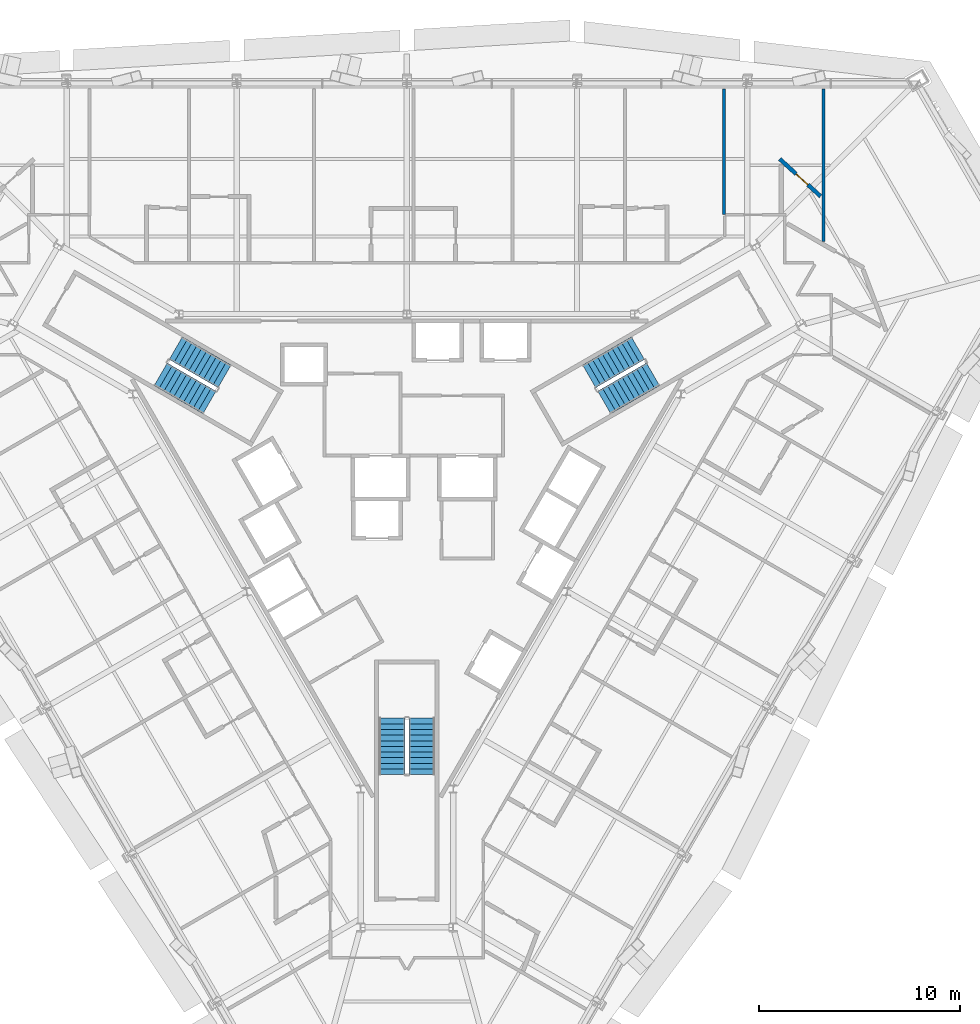
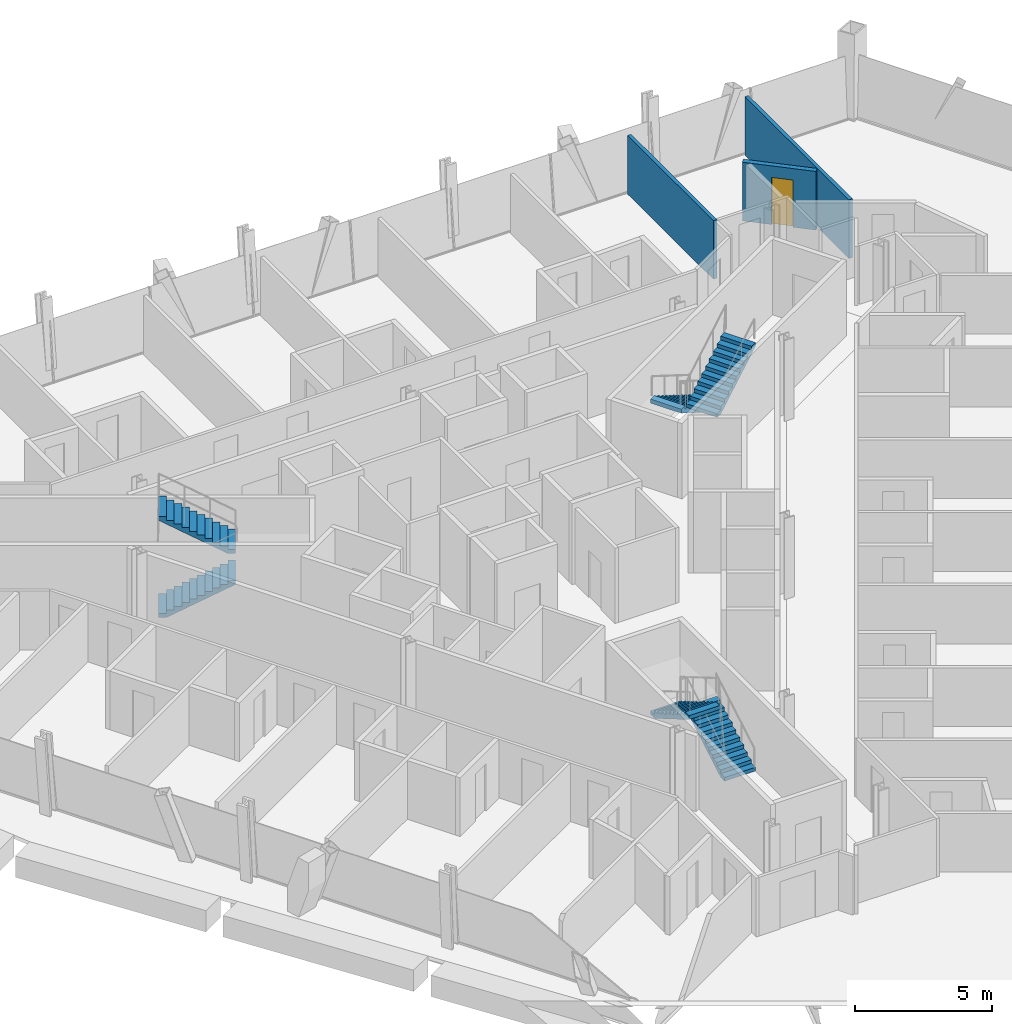
# One storey, part 13 of 15: 6 stair flights, 3 walls, 1 door, 1 opening, 3 elements without a shape of their own.
"""IFC4 building model written with IfcOpenShell, lengths in metres."""

from ifc_helpers import new_model, si_unit, direction, frame, frame_2d, origin, place, context, subcontext, project, spatial, polyline, rectangle, outline, extrude, material, layer, layer_set, type_object, element, fill, aggregate, save


model = new_model("IFC4")

# Units and contexts
model_context = context("Model", 3, precision=1e-05, world=origin(), true_north=direction((0.0, 1.0)))
body_context = subcontext(model_context, "Body", "Model", "MODEL_VIEW")
ifc_project = project(units=[si_unit("LENGTHUNIT", "METRE"), si_unit("AREAUNIT", "SQUARE_METRE"), si_unit("VOLUMEUNIT", "CUBIC_METRE"), si_unit("PLANEANGLEUNIT", "RADIAN"), si_unit("MASSUNIT", "GRAM", prefix="KILO")], contexts=[model_context])

# Site, building, storey
site_placement = place(None, origin())
site = spatial("IfcSite", under=ifc_project, at=site_placement, CompositionType="ELEMENT")
building_placement = place(site_placement, origin())
building = spatial("IfcBuilding", under=site, at=building_placement, Name="Verrane Prism Tower", CompositionType="ELEMENT")
storey_placement = place(building_placement, frame((0.0, 0.0, 44.0)))
storey = spatial("IfcBuildingStorey", under=building, at=storey_placement, Name="L08", CompositionType="ELEMENT", Elevation=44.0)

# Walls
ifc_material_1 = material(Name="Gypsum board partition", Category="other")
ifc_layer_1 = layer(ifc_material_1, 0.14990234375)
ifc_layer_set_1 = layer_set([ifc_layer_1], Name="PW-150 demising wall 1 h")
wall_type_1 = type_object("IfcWallType", Name="PW-150 demising wall 1 h", PredefinedType="PARTITIONING", material=ifc_layer_set_1)
wall_1_placement = place(storey_placement, frame((15.778076171875, 14.137451171875, 0.0), z_axis=(0.0, 0.0, 1.0), x_axis=(0.0, 1.0, 0.0)))
element("IfcWall", 1, at=wall_1_placement, inside=storey, type_object=wall_type_1, Name="Demising wall 084", PredefinedType="PARTITIONING", context=body_context, shape_type="SweptSolid", body=[
    extrude(rectangle(XDim=6.257568359375, YDim=0.14990234375, at=frame_2d((3.12890625, 0.0))), origin(), (0.0, 0.0, 1.0), 2.613037109375),
])
wall_2_placement = place(storey_placement, frame((20.715087890625, 12.810791015625, 0.0), z_axis=(0.0, 0.0, 1.0), x_axis=(0.0, 1.0, 0.0)))
element("IfcWall", 2, at=wall_2_placement, inside=storey, type_object=wall_type_1, Name="Demising wall 100", PredefinedType="PARTITIONING", context=body_context, shape_type="SweptSolid", body=[
    extrude(rectangle(XDim=7.584228515625, YDim=0.14990234375, at=frame_2d((3.7919921875, 0.0))), origin(), (0.0, 0.0, 1.0), 2.613037109375),
])

# Wall, opening, door
ifc_material_2 = material(Name="Gypsum board partition", Category="other")
ifc_layer_2 = layer(ifc_material_2, 0.199951171875)
ifc_layer_set_2 = layer_set([ifc_layer_2], Name="PW-200 plumbing wall")
wall_type_2 = type_object("IfcWallType", Name="PW-200 plumbing wall", PredefinedType="PARTITIONING", material=ifc_layer_set_2)
wall_3_placement = place(storey_placement, frame((20.572509765625, 15.050048828125, 0.0), z_axis=(0.0, 0.0, 1.0), x_axis=(-0.738508553587, 0.674244107337, 0.0)))
wall_3 = element("IfcWall", 3, at=wall_3_placement, inside=storey, type_object=wall_type_2, Name="Plumbing wall 093", PredefinedType="PARTITIONING", context=body_context, shape_type="SweptSolid", body=[
    extrude(rectangle(XDim=2.75048828125, YDim=0.199951171875, at=frame_2d((1.375244140625, 0.0))), origin(), (0.0, 0.0, 1.0), 2.613037109375),
])
opening_placement = place(wall_3_placement, frame((0.8505859375, 0.0, 0.0)))
opening = element("IfcOpeningElement", 4, at=opening_placement, cuts=wall_3, Name="Opening D06002", PredefinedType="OPENING", context=body_context, shape_type="SweptSolid", body=[
    extrude(rectangle(XDim=0.800048828125, YDim=2.10009765625, at=frame_2d((0.39990234375, 1.050048828125))), frame((0.0, 0.10986328125, 0.0), z_axis=(0.0, -1.0, 0.0), x_axis=(1.0, 0.0, 0.0)), (0.0, 0.0, 1.0), 0.219970703125),
])
ifc_material_3 = material(Name="Timber veneered door leaf", Category="wood")
door_type = type_object("IfcDoorType", Name="DR-800x2100 single leaf bath", OperationType="NOTDEFINED", PredefinedType="DOOR", material=ifc_material_3)
door_placement = place(opening_placement, origin())
door = element("IfcDoor", 5, at=door_placement, inside=storey, type_object=door_type, Name="En-Suite door", OperationType="SINGLE_SWING_LEFT", OverallHeight=2.10009765625, OverallWidth=0.800048828125, PredefinedType="DOOR", context=body_context, shape_type="SweptSolid", body=[
    extrude(rectangle(XDim=0.800048828125, YDim=2.10009765625, at=frame_2d((0.39990234375, 1.050048828125))), frame((0.0, 0.02490234375, 0.0), z_axis=(0.0, -1.0, 0.0), x_axis=(1.0, 0.0, 0.0)), (0.0, 0.0, 1.0), 0.050048828125),
])
fill(opening, door)

# Stair, stair flights
ifc_material_4 = material(Name="Concrete C40/50", Category="concrete")
stair_type = type_object("IfcStairType", Name="Exit stair 1300 dog-leg precast concrete C40/50", PredefinedType="HALF_TURN_STAIR", material=ifc_material_4)
stair_1_placement = place(storey_placement, origin())
stair_1 = element("IfcStair", 6, at=stair_1_placement, inside=storey, type_object=stair_type, Name="Stair 1 L08", PredefinedType="HALF_TURN_STAIR")
ifc_material_5 = material(Name="Concrete C40/50", Category="concrete")
stair_flight_type = type_object("IfcStairFlightType", Name="Stair flight 1300 precast concrete C40/50", PredefinedType="STRAIGHT", material=ifc_material_5)
stair_flight_1_placement = place(storey_placement, frame((11.489501953125, 7.49951171875, 0.0), z_axis=(0.0, 0.0, 1.0), x_axis=(-0.866025403784, -0.5, 0.0)))
stair_flight_1 = element("IfcStairFlight", 7, at=stair_flight_1_placement, type_object=stair_flight_type, Name="Stair 1 flight 1", NumberOfRisers=11, NumberOfTreads=10, PredefinedType="STRAIGHT", RiserHeight=0.163636364, TreadLength=0.28, context=body_context, shape_type="SweptSolid", body=[
    extrude(outline(polyline([(0.0, 0.0), (0.0, 0.16357421875), (0.280029296875, 0.16357421875), (0.280029296875, 0.327392578125), (0.56005859375, 0.327392578125), (0.56005859375, 0.490966796875), (0.840087890625, 0.490966796875), (0.840087890625, 0.654541015625), (1.1201171875, 0.654541015625), (1.1201171875, 0.818115234375), (1.39990234375, 0.818115234375), (1.39990234375, 0.98193359375), (1.679931640625, 0.98193359375), (1.679931640625, 1.1455078125), (1.9599609375, 1.1455078125), (1.9599609375, 1.30908203125), (2.239990234375, 1.30908203125), (2.239990234375, 1.47265625), (2.52001953125, 1.47265625), (2.52001953125, 1.636474609375), (2.800048828125, 1.636474609375), (2.800048828125, 1.800048828125), (2.800048828125, 1.462646484375), (0.297119140625, 0.0), (0.0, 0.0)])), frame((0.0, 0.64990234375, 0.0), z_axis=(0.0, -1.0, 0.0), x_axis=(1.0, 0.0, 0.0)), (0.0, 0.0, 1.0), 1.300048828125),
])
stair_flight_2_placement = place(storey_placement, frame((9.814697265625, 4.800537109375, 1.800048828125), z_axis=(0.0, 0.0, 1.0), x_axis=(0.866025403784, 0.5, 0.0)))
stair_flight_2 = element("IfcStairFlight", 8, at=stair_flight_2_placement, type_object=stair_flight_type, Name="Stair 1 flight 2", NumberOfRisers=11, NumberOfTreads=10, PredefinedType="STRAIGHT", RiserHeight=0.163636364, TreadLength=0.28, context=body_context, shape_type="SweptSolid", body=[
    extrude(outline(polyline([(0.0, 0.0), (0.0, 0.16357421875), (0.280029296875, 0.16357421875), (0.280029296875, 0.327392578125), (0.56005859375, 0.327392578125), (0.56005859375, 0.490966796875), (0.840087890625, 0.490966796875), (0.840087890625, 0.654541015625), (1.1201171875, 0.654541015625), (1.1201171875, 0.818115234375), (1.39990234375, 0.818115234375), (1.39990234375, 0.98193359375), (1.679931640625, 0.98193359375), (1.679931640625, 1.1455078125), (1.9599609375, 1.1455078125), (1.9599609375, 1.30908203125), (2.239990234375, 1.30908203125), (2.239990234375, 1.47265625), (2.52001953125, 1.47265625), (2.52001953125, 1.636474609375), (2.800048828125, 1.636474609375), (2.800048828125, 1.800048828125), (2.800048828125, 1.462646484375), (0.297119140625, 0.0), (0.0, 0.0)])), frame((0.0, 0.64990234375, 0.0), z_axis=(0.0, -1.0, 0.0), x_axis=(1.0, 0.0, 0.0)), (0.0, 0.0, 1.0), 1.300048828125),
])
aggregate(stair_1, [stair_flight_1, stair_flight_2])

stair_2_placement = place(storey_placement, origin())
stair_2 = element("IfcStair", 9, at=stair_2_placement, inside=storey, type_object=stair_type, Name="Stair 2 L08", PredefinedType="HALF_TURN_STAIR")
stair_flight_3_placement = place(storey_placement, frame((-12.239501953125, 6.200439453125, 0.0), z_axis=(0.0, 0.0, 1.0), x_axis=(0.866025403784, -0.5, 0.0)))
stair_flight_3 = element("IfcStairFlight", 10, at=stair_flight_3_placement, type_object=stair_flight_type, Name="Stair 2 flight 1", NumberOfRisers=11, NumberOfTreads=10, PredefinedType="STRAIGHT", RiserHeight=0.163636364, TreadLength=0.28, context=body_context, shape_type="SweptSolid", body=[
    extrude(outline(polyline([(0.0, 0.0), (0.0, 0.16357421875), (0.280029296875, 0.16357421875), (0.280029296875, 0.327392578125), (0.56005859375, 0.327392578125), (0.56005859375, 0.490966796875), (0.840087890625, 0.490966796875), (0.840087890625, 0.654541015625), (1.1201171875, 0.654541015625), (1.1201171875, 0.818115234375), (1.39990234375, 0.818115234375), (1.39990234375, 0.98193359375), (1.679931640625, 0.98193359375), (1.679931640625, 1.1455078125), (1.9599609375, 1.1455078125), (1.9599609375, 1.30908203125), (2.239990234375, 1.30908203125), (2.239990234375, 1.47265625), (2.52001953125, 1.47265625), (2.52001953125, 1.636474609375), (2.800048828125, 1.636474609375), (2.800048828125, 1.800048828125), (2.800048828125, 1.462646484375), (0.297119140625, 0.0), (0.0, 0.0)])), frame((0.0, 0.64990234375, 0.0), z_axis=(0.0, -1.0, 0.0), x_axis=(1.0, 0.0, 0.0)), (0.0, 0.0, 1.0), 1.300048828125),
])
stair_flight_4_placement = place(storey_placement, frame((-9.064697265625, 6.099609375, 1.800048828125), z_axis=(0.0, 0.0, 1.0), x_axis=(-0.866025403784, 0.5, 0.0)))
stair_flight_4 = element("IfcStairFlight", 11, at=stair_flight_4_placement, type_object=stair_flight_type, Name="Stair 2 flight 2", NumberOfRisers=11, NumberOfTreads=10, PredefinedType="STRAIGHT", RiserHeight=0.163636364, TreadLength=0.28, context=body_context, shape_type="SweptSolid", body=[
    extrude(outline(polyline([(0.0, 0.0), (0.0, 0.16357421875), (0.280029296875, 0.16357421875), (0.280029296875, 0.327392578125), (0.56005859375, 0.327392578125), (0.56005859375, 0.490966796875), (0.840087890625, 0.490966796875), (0.840087890625, 0.654541015625), (1.1201171875, 0.654541015625), (1.1201171875, 0.818115234375), (1.39990234375, 0.818115234375), (1.39990234375, 0.98193359375), (1.679931640625, 0.98193359375), (1.679931640625, 1.1455078125), (1.9599609375, 1.1455078125), (1.9599609375, 1.30908203125), (2.239990234375, 1.30908203125), (2.239990234375, 1.47265625), (2.52001953125, 1.47265625), (2.52001953125, 1.636474609375), (2.800048828125, 1.636474609375), (2.800048828125, 1.800048828125), (2.800048828125, 1.462646484375), (0.297119140625, 0.0), (0.0, 0.0)])), frame((0.0, 0.64990234375, 0.0), z_axis=(0.0, -1.0, 0.0), x_axis=(1.0, 0.0, 0.0)), (0.0, 0.0, 1.0), 1.300048828125),
])
aggregate(stair_2, [stair_flight_3, stair_flight_4])

stair_3_placement = place(storey_placement, origin())
stair_3 = element("IfcStair", 12, at=stair_3_placement, inside=storey, type_object=stair_type, Name="Stair 3 L08", PredefinedType="HALF_TURN_STAIR")
stair_flight_5_placement = place(storey_placement, frame((0.75, -13.699951171875, 0.0), z_axis=(0.0, 0.0, 1.0), x_axis=(0.0, 1.0, 0.0)))
stair_flight_5 = element("IfcStairFlight", 13, at=stair_flight_5_placement, type_object=stair_flight_type, Name="Stair 3 flight 1", NumberOfRisers=11, NumberOfTreads=10, PredefinedType="STRAIGHT", RiserHeight=0.163636364, TreadLength=0.28, context=body_context, shape_type="SweptSolid", body=[
    extrude(outline(polyline([(0.0, 0.0), (0.0, 0.16357421875), (0.280029296875, 0.16357421875), (0.280029296875, 0.327392578125), (0.56005859375, 0.327392578125), (0.56005859375, 0.490966796875), (0.840087890625, 0.490966796875), (0.840087890625, 0.654541015625), (1.1201171875, 0.654541015625), (1.1201171875, 0.818115234375), (1.39990234375, 0.818115234375), (1.39990234375, 0.98193359375), (1.679931640625, 0.98193359375), (1.679931640625, 1.1455078125), (1.9599609375, 1.1455078125), (1.9599609375, 1.30908203125), (2.239990234375, 1.30908203125), (2.239990234375, 1.47265625), (2.52001953125, 1.47265625), (2.52001953125, 1.636474609375), (2.800048828125, 1.636474609375), (2.800048828125, 1.800048828125), (2.800048828125, 1.462646484375), (0.297119140625, 0.0), (0.0, 0.0)])), frame((0.0, 0.64990234375, 0.0), z_axis=(0.0, -1.0, 0.0), x_axis=(1.0, 0.0, 0.0)), (0.0, 0.0, 1.0), 1.300048828125),
])
stair_flight_6_placement = place(storey_placement, frame((-0.75, -10.89990234375, 1.800048828125), z_axis=(0.0, 0.0, 1.0), x_axis=(0.0, -1.0, 0.0)))
stair_flight_6 = element("IfcStairFlight", 14, at=stair_flight_6_placement, type_object=stair_flight_type, Name="Stair 3 flight 2", NumberOfRisers=11, NumberOfTreads=10, PredefinedType="STRAIGHT", RiserHeight=0.163636364, TreadLength=0.28, context=body_context, shape_type="SweptSolid", body=[
    extrude(outline(polyline([(0.0, 0.0), (0.0, 0.16357421875), (0.280029296875, 0.16357421875), (0.280029296875, 0.327392578125), (0.56005859375, 0.327392578125), (0.56005859375, 0.490966796875), (0.840087890625, 0.490966796875), (0.840087890625, 0.654541015625), (1.1201171875, 0.654541015625), (1.1201171875, 0.818115234375), (1.39990234375, 0.818115234375), (1.39990234375, 0.98193359375), (1.679931640625, 0.98193359375), (1.679931640625, 1.1455078125), (1.9599609375, 1.1455078125), (1.9599609375, 1.30908203125), (2.239990234375, 1.30908203125), (2.239990234375, 1.47265625), (2.52001953125, 1.47265625), (2.52001953125, 1.636474609375), (2.800048828125, 1.636474609375), (2.800048828125, 1.800048828125), (2.800048828125, 1.462646484375), (0.297119140625, 0.0), (0.0, 0.0)])), frame((0.0, 0.64990234375, 0.0), z_axis=(0.0, -1.0, 0.0), x_axis=(1.0, 0.0, 0.0)), (0.0, 0.0, 1.0), 1.300048828125),
])
aggregate(stair_3, [stair_flight_5, stair_flight_6])

save(model, "model.ifc")
